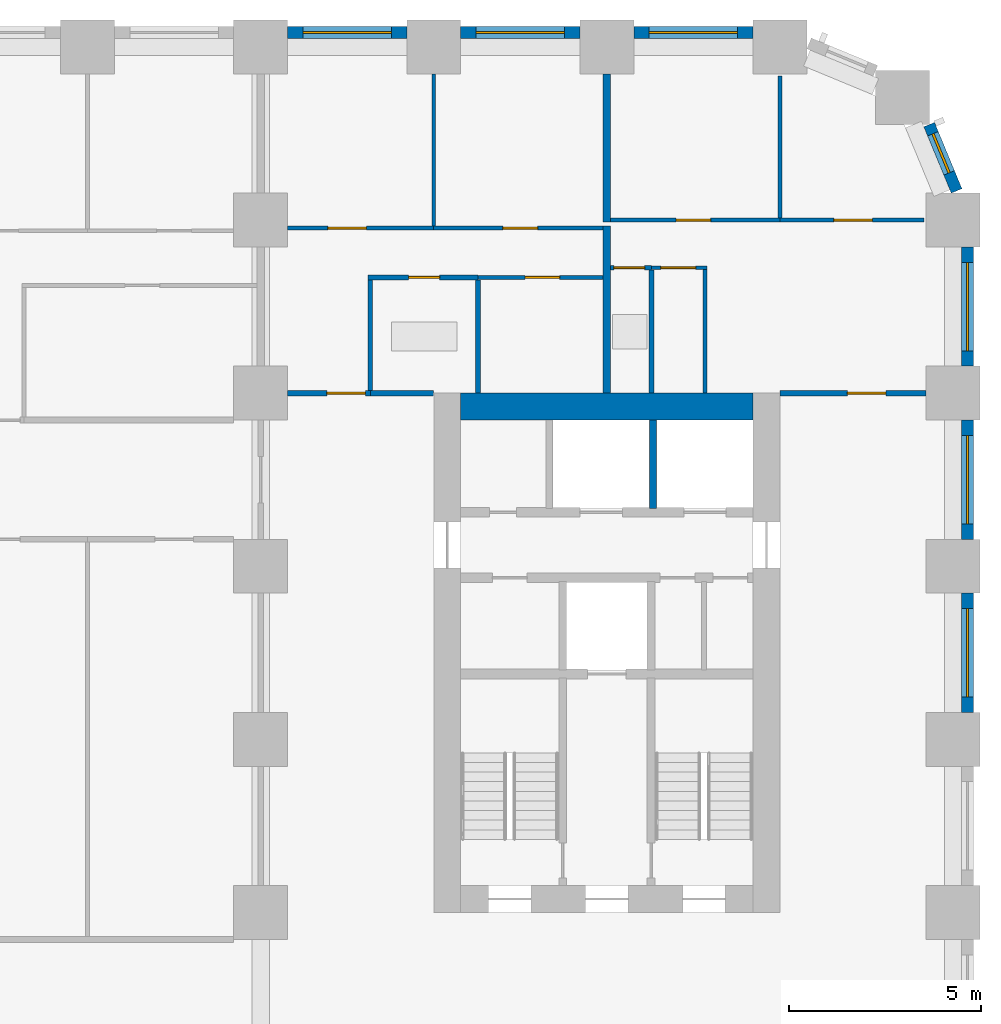
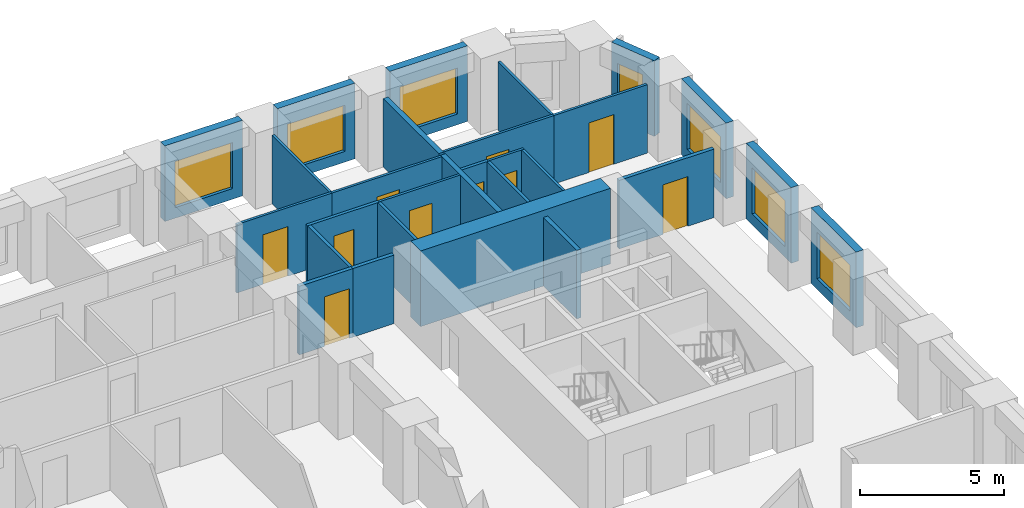
# One storey, part 9 of 13: 28 walls, 10 doors, 7 windows, 17 openings.
"""IFC4 building model written with IfcOpenShell, lengths in metres."""

from ifc_helpers import new_model, si_unit, direction, frame, frame_2d, origin, place, context, subcontext, project, spatial, rectangle, extrude, material, layer, layer_set, type_object, element, fill, save


model = new_model("IFC4")

# Units and contexts
model_context = context("Model", 3, precision=1e-05, world=origin(), true_north=direction((0.0, 1.0)))
body_context = subcontext(model_context, "Body", "Model", "MODEL_VIEW")
ifc_project = project(units=[si_unit("LENGTHUNIT", "METRE"), si_unit("AREAUNIT", "SQUARE_METRE"), si_unit("VOLUMEUNIT", "CUBIC_METRE"), si_unit("PLANEANGLEUNIT", "RADIAN"), si_unit("MASSUNIT", "GRAM", prefix="KILO")], contexts=[model_context])

# Site, building, storey
site_placement = place(None, origin())
site = spatial("IfcSite", under=ifc_project, at=site_placement, CompositionType="ELEMENT")
building_placement = place(site_placement, origin())
building = spatial("IfcBuilding", under=site, at=building_placement, Name="Girih Gate Residences", CompositionType="ELEMENT")
storey_placement = place(building_placement, frame((0.0, 0.0, 52.800048828125)))
storey = spatial("IfcBuildingStorey", under=building, at=storey_placement, Name="L13", CompositionType="ELEMENT", Elevation=52.800048828125)

# Wall, opening, door
ifc_material_1 = material(Name="Gypsum board on steel studs", Category="steel")
ifc_layer_1 = layer(ifc_material_1, 0.14990234375)
ifc_layer_set_1 = layer_set([ifc_layer_1], Name="Compartment wall 150 mm")
wall_type_1 = type_object("IfcWallType", Name="Compartment wall 150 mm", PredefinedType="PARTITIONING", material=ifc_layer_set_1)
wall_1_placement = place(storey_placement, frame((45.0, 40.5, 0.0), z_axis=(0.0, 0.0, 1.0), x_axis=(1.0, 0.0, 0.0)))
wall_1 = element("IfcWall", 1, at=wall_1_placement, inside=storey, type_object=wall_type_1, Name="L13 partition", PredefinedType="PARTITIONING", context=body_context, shape_type="SweptSolid", body=[
    extrude(rectangle(XDim=3.800048828125, YDim=0.14990234375, at=frame_2d((1.89990234375, 0.0))), origin(), (0.0, 0.0, 1.0), 2.89990234375),
])
opening_1_placement = place(wall_1_placement, frame((1.75, 0.0, 0.0)))
opening_1 = element("IfcOpeningElement", 2, at=opening_1_placement, cuts=wall_1, Name="Opening A13-033", PredefinedType="OPENING", context=body_context, shape_type="SweptSolid", body=[
    extrude(rectangle(XDim=1.0, YDim=2.10009765625, at=frame_2d((0.5, 1.050048828125))), frame((0.0, 0.0849609375, 0.0), z_axis=(0.0, -1.0, 0.0), x_axis=(1.0, 0.0, 0.0)), (0.0, 0.0, 1.0), 0.169921875),
])
ifc_material_2 = material(Name="Timber, fire-rated core", Category="wood")
door_type_1 = type_object("IfcDoorType", Name="Flat entrance door 1000x2100 FD30S", OperationType="NOTDEFINED", PredefinedType="DOOR", material=ifc_material_2)
door_1_placement = place(opening_1_placement, origin())
door_1 = element("IfcDoor", 3, at=door_1_placement, inside=storey, type_object=door_type_1, Name="Door A13-033", OperationType="SINGLE_SWING_RIGHT", OverallHeight=2.10009765625, OverallWidth=1.0, PredefinedType="DOOR", context=body_context, shape_type="SweptSolid", body=[
    extrude(rectangle(XDim=1.0, YDim=2.10009765625, at=frame_2d((0.5, 1.050048828125))), frame((0.0, 0.02490234375, 0.0), z_axis=(0.0, -1.0, 0.0), x_axis=(1.0, 0.0, 0.0)), (0.0, 0.0, 1.0), 0.050048828125),
])
fill(opening_1, door_1)

# Wall
wall_2_placement = place(storey_placement, frame((34.35009765625, 40.5, 0.0), z_axis=(0.0, 0.0, 1.0), x_axis=(1.0, 0.0, 0.0)))
element("IfcWall", 4, at=wall_2_placement, inside=storey, type_object=wall_type_1, Name="L13 partition", PredefinedType="PARTITIONING", context=body_context, shape_type="SweptSolid", body=[
    extrude(rectangle(XDim=1.64990234375, YDim=0.14990234375, at=frame_2d((0.824951171875, 0.0))), origin(), (0.0, 0.0, 1.0), 2.89990234375),
])

# Wall, opening, door
wall_3_placement = place(storey_placement, frame((32.199951171875, 40.5, 0.0), z_axis=(0.0, 0.0, 1.0), x_axis=(1.0, 0.0, 0.0)))
wall_3 = element("IfcWall", 5, at=wall_3_placement, inside=storey, type_object=wall_type_1, Name="L13 partition", PredefinedType="PARTITIONING", context=body_context, shape_type="SweptSolid", body=[
    extrude(rectangle(XDim=2.150146484375, YDim=0.14990234375, at=frame_2d((1.0751953125, 0.0))), origin(), (0.0, 0.0, 1.0), 2.89990234375),
])
opening_2_placement = place(wall_3_placement, frame((1.02001953125, 0.0, 0.0)))
opening_2 = element("IfcOpeningElement", 6, at=opening_2_placement, cuts=wall_3, Name="Opening A13-038", PredefinedType="OPENING", context=body_context, shape_type="SweptSolid", body=[
    extrude(rectangle(XDim=1.0, YDim=2.10009765625, at=frame_2d((0.5, 1.050048828125))), frame((0.0, 0.0849609375, 0.0), z_axis=(0.0, -1.0, 0.0), x_axis=(1.0, 0.0, 0.0)), (0.0, 0.0, 1.0), 0.169921875),
])
door_2_placement = place(opening_2_placement, origin())
door_2 = element("IfcDoor", 7, at=door_2_placement, inside=storey, type_object=door_type_1, Name="Door A13-038", OperationType="SINGLE_SWING_RIGHT", OverallHeight=2.10009765625, OverallWidth=1.0, PredefinedType="DOOR", context=body_context, shape_type="SweptSolid", body=[
    extrude(rectangle(XDim=1.0, YDim=2.10009765625, at=frame_2d((0.5, 1.050048828125))), frame((0.0, 0.02490234375, 0.0), z_axis=(0.0, -1.0, 0.0), x_axis=(1.0, 0.0, 0.0)), (0.0, 0.0, 1.0), 0.050048828125),
])
fill(opening_2, door_2)

# Wall
ifc_material_3 = material(Name="Concrete C60/75", Category="concrete")
ifc_layer_2 = layer(ifc_material_3, 0.699951171875)
ifc_layer_set_2 = layer_set([ifc_layer_2], Name="Core wall RC 700 Concrete C60/75")
wall_type_2 = type_object("IfcWallType", Name="Core wall RC 700 Concrete C60/75", PredefinedType="SOLIDWALL", material=ifc_layer_set_2)
wall_4_placement = place(storey_placement, frame((36.699951171875, 40.14990234375, 0.0), z_axis=(0.0, 0.0, 1.0), x_axis=(1.0, 0.0, 0.0)))
element("IfcWall", 8, at=wall_4_placement, inside=storey, type_object=wall_type_2, Name="Core wall E-N L13", PredefinedType="SOLIDWALL", context=body_context, shape_type="SweptSolid", body=[
    extrude(rectangle(XDim=7.60009765625, YDim=0.699951171875, at=frame_2d((3.800048828125, 0.0))), origin(), (0.0, 0.0, 1.0), 3.199951171875),
])

# Wall, opening, door
ifc_layer_3 = layer(ifc_material_1, 0.10009765625)
ifc_layer_set_3 = layer_set([ifc_layer_3], Name="Partition 100 mm")
wall_type_3 = type_object("IfcWallType", Name="Partition 100 mm", PredefinedType="PARTITIONING", material=ifc_layer_set_3)
wall_5_placement = place(storey_placement, frame((40.60009765625, 45.0, 0.0), z_axis=(0.0, 0.0, 1.0), x_axis=(1.0, 0.0, 0.0)))
wall_5 = element("IfcWall", 9, at=wall_5_placement, inside=storey, type_object=wall_type_3, Name="L13 partition", PredefinedType="PARTITIONING", context=body_context, shape_type="SweptSolid", body=[
    extrude(rectangle(XDim=4.39990234375, YDim=0.10009765625, at=frame_2d((2.199951171875, 0.0))), origin(), (0.0, 0.0, 1.0), 2.89990234375),
])
opening_3_placement = place(wall_5_placement, frame((1.699951171875, 0.0, 0.0)))
opening_3 = element("IfcOpeningElement", 10, at=opening_3_placement, cuts=wall_5, Name="Opening A13-030", PredefinedType="OPENING", context=body_context, shape_type="SweptSolid", body=[
    extrude(rectangle(XDim=0.89990234375, YDim=2.10009765625, at=frame_2d((0.449951171875, 1.050048828125))), frame((0.0, 0.06005859375, 0.0), z_axis=(0.0, -1.0, 0.0), x_axis=(1.0, 0.0, 0.0)), (0.0, 0.0, 1.0), 0.1201171875),
])
ifc_material_4 = material(Name="Timber", Category="wood")
door_type_2 = type_object("IfcDoorType", Name="Bedroom door 900x2100", OperationType="NOTDEFINED", PredefinedType="DOOR", material=ifc_material_4)
door_3_placement = place(opening_3_placement, origin())
door_3 = element("IfcDoor", 11, at=door_3_placement, inside=storey, type_object=door_type_2, Name="Door A13-030", OperationType="SINGLE_SWING_LEFT", OverallHeight=2.10009765625, OverallWidth=0.89990234375, PredefinedType="DOOR", context=body_context, shape_type="SweptSolid", body=[
    extrude(rectangle(XDim=0.89990234375, YDim=2.10009765625, at=frame_2d((0.449951171875, 1.050048828125))), frame((0.0, 0.02490234375, 0.0), z_axis=(0.0, -1.0, 0.0), x_axis=(1.0, 0.0, 0.0)), (0.0, 0.0, 1.0), 0.050048828125),
])
fill(opening_3, door_3)

# Walls
wall_6_placement = place(storey_placement, frame((45.0, 45.050048828125, 0.0), z_axis=(0.0, 0.0, 1.0), x_axis=(0.0, 1.0, 0.0)))
element("IfcWall", 12, at=wall_6_placement, inside=storey, type_object=wall_type_3, Name="L13 partition", PredefinedType="PARTITIONING", context=body_context, shape_type="SweptSolid", body=[
    extrude(rectangle(XDim=3.6923828125, YDim=0.10009765625, at=frame_2d((1.84619140625, 0.0))), origin(), (0.0, 0.0, 1.0), 2.89990234375),
])
wall_7_placement = place(storey_placement, frame((43.050048828125, 40.5, 0.0), z_axis=(0.0, 0.0, 1.0), x_axis=(0.0, 1.0, 0.0)))
element("IfcWall", 13, at=wall_7_placement, inside=storey, type_object=wall_type_3, Name="L13 partition", PredefinedType="PARTITIONING", context=body_context, shape_type="SweptSolid", body=[
    extrude(rectangle(XDim=3.2099609375, YDim=0.10009765625, at=frame_2d((1.60498046875, 0.0))), origin(), (0.0, 0.0, 1.0), 2.89990234375),
])

# Wall, opening, door
wall_8_placement = place(storey_placement, frame((43.10009765625, 43.760009765625, 0.0), z_axis=(0.0, 0.0, 1.0), x_axis=(-1.0, 0.0, 0.0)))
wall_8 = element("IfcWall", 14, at=wall_8_placement, inside=storey, type_object=wall_type_3, Name="L13 partition", PredefinedType="PARTITIONING", context=body_context, shape_type="SweptSolid", body=[
    extrude(rectangle(XDim=1.44091796875, YDim=0.10009765625, at=frame_2d((0.720458984375, 0.0))), origin(), (0.0, 0.0, 1.0), 2.89990234375),
])
opening_4_placement = place(wall_8_placement, frame((0.29541015625, 0.0, 0.0)))
opening_4 = element("IfcOpeningElement", 15, at=opening_4_placement, cuts=wall_8, Name="Opening A13-031", PredefinedType="OPENING", context=body_context, shape_type="SweptSolid", body=[
    extrude(rectangle(XDim=0.89990234375, YDim=2.10009765625, at=frame_2d((0.449951171875, 1.050048828125))), frame((0.0, 0.06005859375, 0.0), z_axis=(0.0, -1.0, 0.0), x_axis=(1.0, 0.0, 0.0)), (0.0, 0.0, 1.0), 0.1201171875),
])
door_type_3 = type_object("IfcDoorType", Name="Kitchen door 900x2100", OperationType="NOTDEFINED", PredefinedType="DOOR", material=ifc_material_4)
door_4_placement = place(opening_4_placement, origin())
door_4 = element("IfcDoor", 16, at=door_4_placement, inside=storey, type_object=door_type_3, Name="Door A13-031", OperationType="SINGLE_SWING_RIGHT", OverallHeight=2.10009765625, OverallWidth=0.89990234375, PredefinedType="DOOR", context=body_context, shape_type="SweptSolid", body=[
    extrude(rectangle(XDim=0.89990234375, YDim=2.10009765625, at=frame_2d((0.449951171875, 1.050048828125))), frame((0.0, 0.02490234375, 0.0), z_axis=(0.0, -1.0, 0.0), x_axis=(1.0, 0.0, 0.0)), (0.0, 0.0, 1.0), 0.050048828125),
])
fill(opening_4, door_4)

wall_9_placement = place(storey_placement, frame((45.0, 45.0, 0.0), z_axis=(0.0, 0.0, 1.0), x_axis=(1.0, 0.0, 0.0)))
wall_9 = element("IfcWall", 17, at=wall_9_placement, inside=storey, type_object=wall_type_3, Name="L13 partition", PredefinedType="PARTITIONING", context=body_context, shape_type="SweptSolid", body=[
    extrude(rectangle(XDim=3.742431640625, YDim=0.10009765625, at=frame_2d((1.87109375, 0.0))), origin(), (0.0, 0.0, 1.0), 2.89990234375),
])
opening_5_placement = place(wall_9_placement, frame((1.39990234375, 0.0, 0.0)))
opening_5 = element("IfcOpeningElement", 18, at=opening_5_placement, cuts=wall_9, Name="Opening A13-032", PredefinedType="OPENING", context=body_context, shape_type="SweptSolid", body=[
    extrude(rectangle(XDim=1.0, YDim=2.10009765625, at=frame_2d((0.5, 1.050048828125))), frame((0.0, 0.06005859375, 0.0), z_axis=(0.0, -1.0, 0.0), x_axis=(1.0, 0.0, 0.0)), (0.0, 0.0, 1.0), 0.1201171875),
])
door_type_4 = type_object("IfcDoorType", Name="Living room door 1000x2100", OperationType="NOTDEFINED", PredefinedType="DOOR", material=ifc_material_4)
door_5_placement = place(opening_5_placement, origin())
door_5 = element("IfcDoor", 19, at=door_5_placement, inside=storey, type_object=door_type_4, Name="Door A13-032", OperationType="SINGLE_SWING_RIGHT", OverallHeight=2.10009765625, OverallWidth=1.0, PredefinedType="DOOR", context=body_context, shape_type="SweptSolid", body=[
    extrude(rectangle(XDim=1.0, YDim=2.10009765625, at=frame_2d((0.5, 1.050048828125))), frame((0.0, 0.02490234375, 0.0), z_axis=(0.0, -1.0, 0.0), x_axis=(1.0, 0.0, 0.0)), (0.0, 0.0, 1.0), 0.050048828125),
])
fill(opening_5, door_5)

wall_10_placement = place(storey_placement, frame((36.0, 44.7900390625, 0.0), z_axis=(0.0, 0.0, 1.0), x_axis=(1.0, 0.0, 0.0)))
wall_10 = element("IfcWall", 20, at=wall_10_placement, inside=storey, type_object=wall_type_3, Name="L13 partition", PredefinedType="PARTITIONING", context=body_context, shape_type="SweptSolid", body=[
    extrude(rectangle(XDim=4.39990234375, YDim=0.10009765625, at=frame_2d((2.199951171875, 0.0))), origin(), (0.0, 0.0, 1.0), 2.89990234375),
])
opening_6_placement = place(wall_10_placement, frame((1.800048828125, 0.0, 0.0)))
opening_6 = element("IfcOpeningElement", 21, at=opening_6_placement, cuts=wall_10, Name="Opening A13-035", PredefinedType="OPENING", context=body_context, shape_type="SweptSolid", body=[
    extrude(rectangle(XDim=0.89990234375, YDim=2.10009765625, at=frame_2d((0.449951171875, 1.050048828125))), frame((0.0, 0.06005859375, 0.0), z_axis=(0.0, -1.0, 0.0), x_axis=(1.0, 0.0, 0.0)), (0.0, 0.0, 1.0), 0.1201171875),
])
door_6_placement = place(opening_6_placement, origin())
door_6 = element("IfcDoor", 22, at=door_6_placement, inside=storey, type_object=door_type_2, Name="Door A13-035", OperationType="SINGLE_SWING_RIGHT", OverallHeight=2.10009765625, OverallWidth=0.89990234375, PredefinedType="DOOR", context=body_context, shape_type="SweptSolid", body=[
    extrude(rectangle(XDim=0.89990234375, YDim=2.10009765625, at=frame_2d((0.449951171875, 1.050048828125))), frame((0.0, 0.02490234375, 0.0), z_axis=(0.0, -1.0, 0.0), x_axis=(1.0, 0.0, 0.0)), (0.0, 0.0, 1.0), 0.050048828125),
])
fill(opening_6, door_6)

# Wall
wall_11_placement = place(storey_placement, frame((36.0, 44.840087890625, 0.0), z_axis=(0.0, 0.0, 1.0), x_axis=(0.0, 1.0, 0.0)))
element("IfcWall", 23, at=wall_11_placement, inside=storey, type_object=wall_type_3, Name="L13 partition", PredefinedType="PARTITIONING", context=body_context, shape_type="SweptSolid", body=[
    extrude(rectangle(XDim=3.9599609375, YDim=0.10009765625, at=frame_2d((1.97998046875, 0.0))), origin(), (0.0, 0.0, 1.0), 2.89990234375),
])

# Wall, opening, door
wall_12_placement = place(storey_placement, frame((40.39990234375, 43.510009765625, 0.0), z_axis=(0.0, 0.0, 1.0), x_axis=(-1.0, 0.0, 0.0)))
wall_12 = element("IfcWall", 24, at=wall_12_placement, inside=storey, type_object=wall_type_3, Name="L13 partition", PredefinedType="PARTITIONING", context=body_context, shape_type="SweptSolid", body=[
    extrude(rectangle(XDim=3.250244140625, YDim=0.10009765625, at=frame_2d((1.625, 0.0))), origin(), (0.0, 0.0, 1.0), 2.89990234375),
])
opening_7_placement = place(wall_12_placement, frame((1.125, 0.0, 0.0)))
opening_7 = element("IfcOpeningElement", 25, at=opening_7_placement, cuts=wall_12, Name="Opening A13-036", PredefinedType="OPENING", context=body_context, shape_type="SweptSolid", body=[
    extrude(rectangle(XDim=0.89990234375, YDim=2.10009765625, at=frame_2d((0.449951171875, 1.050048828125))), frame((0.0, 0.06005859375, 0.0), z_axis=(0.0, -1.0, 0.0), x_axis=(1.0, 0.0, 0.0)), (0.0, 0.0, 1.0), 0.1201171875),
])
door_7_placement = place(opening_7_placement, origin())
door_7 = element("IfcDoor", 26, at=door_7_placement, inside=storey, type_object=door_type_3, Name="Door A13-036", OperationType="SINGLE_SWING_LEFT", OverallHeight=2.10009765625, OverallWidth=0.89990234375, PredefinedType="DOOR", context=body_context, shape_type="SweptSolid", body=[
    extrude(rectangle(XDim=0.89990234375, YDim=2.10009765625, at=frame_2d((0.449951171875, 1.050048828125))), frame((0.0, 0.02490234375, 0.0), z_axis=(0.0, -1.0, 0.0), x_axis=(1.0, 0.0, 0.0)), (0.0, 0.0, 1.0), 0.050048828125),
])
fill(opening_7, door_7)

wall_13_placement = place(storey_placement, frame((32.199951171875, 44.7900390625, 0.0), z_axis=(0.0, 0.0, 1.0), x_axis=(1.0, 0.0, 0.0)))
wall_13 = element("IfcWall", 27, at=wall_13_placement, inside=storey, type_object=wall_type_3, Name="L13 partition", PredefinedType="PARTITIONING", context=body_context, shape_type="SweptSolid", body=[
    extrude(rectangle(XDim=3.800048828125, YDim=0.10009765625, at=frame_2d((1.89990234375, 0.0))), origin(), (0.0, 0.0, 1.0), 2.89990234375),
])
opening_8_placement = place(wall_13_placement, frame((1.050048828125, 0.0, 0.0)))
opening_8 = element("IfcOpeningElement", 28, at=opening_8_placement, cuts=wall_13, Name="Opening A13-037", PredefinedType="OPENING", context=body_context, shape_type="SweptSolid", body=[
    extrude(rectangle(XDim=1.0, YDim=2.10009765625, at=frame_2d((0.5, 1.050048828125))), frame((0.0, 0.06005859375, 0.0), z_axis=(0.0, -1.0, 0.0), x_axis=(1.0, 0.0, 0.0)), (0.0, 0.0, 1.0), 0.1201171875),
])
door_8_placement = place(opening_8_placement, origin())
door_8 = element("IfcDoor", 29, at=door_8_placement, inside=storey, type_object=door_type_4, Name="Door A13-037", OperationType="SINGLE_SWING_LEFT", OverallHeight=2.10009765625, OverallWidth=1.0, PredefinedType="DOOR", context=body_context, shape_type="SweptSolid", body=[
    extrude(rectangle(XDim=1.0, YDim=2.10009765625, at=frame_2d((0.5, 1.050048828125))), frame((0.0, 0.02490234375, 0.0), z_axis=(0.0, -1.0, 0.0), x_axis=(1.0, 0.0, 0.0)), (0.0, 0.0, 1.0), 0.050048828125),
])
fill(opening_8, door_8)

# Walls
ifc_layer_4 = layer(ifc_material_1, 0.199951171875)
ifc_layer_set_4 = layer_set([ifc_layer_4], Name="Party wall 200 mm")
wall_type_4 = type_object("IfcWallType", Name="Party wall 200 mm", PredefinedType="PARTITIONING", material=ifc_layer_set_4)
wall_14_placement = place(storey_placement, frame((40.5, 40.5, 0.0), z_axis=(0.0, 0.0, 1.0), x_axis=(0.0, 1.0, 0.0)))
element("IfcWall", 30, at=wall_14_placement, inside=storey, type_object=wall_type_4, Name="L13 partition", PredefinedType="PARTITIONING", context=body_context, shape_type="SweptSolid", body=[
    extrude(rectangle(XDim=4.340087890625, YDim=0.199951171875, at=frame_2d((2.169921875, 0.0))), origin(), (0.0, 0.0, 1.0), 2.89990234375),
])
wall_15_placement = place(storey_placement, frame((40.5, 44.949951171875, 0.0), z_axis=(0.0, 0.0, 1.0), x_axis=(0.0, 1.0, 0.0)))
element("IfcWall", 31, at=wall_15_placement, inside=storey, type_object=wall_type_4, Name="L13 partition", PredefinedType="PARTITIONING", context=body_context, shape_type="SweptSolid", body=[
    extrude(rectangle(XDim=3.85009765625, YDim=0.199951171875, at=frame_2d((1.925048828125, 0.0))), origin(), (0.0, 0.0, 1.0), 2.89990234375),
])

# Wall, opening, window
ifc_material_5 = material(Name="Precast concrete C50/60", Category="concrete")
ifc_layer_5 = layer(ifc_material_5, 0.080078125, Name="Outer leaf")
ifc_material_6 = material(Name="Rigid PIR insulation")
ifc_layer_6 = layer(ifc_material_6, 0.14990234375, Name="Insulation")
ifc_material_7 = material(Name="Precast concrete C40/50", Category="concrete")
ifc_layer_7 = layer(ifc_material_7, 0.070068359375, Name="Inner leaf")
ifc_layer_set_5 = layer_set([ifc_layer_5, ifc_layer_6, ifc_layer_7], Name="Precast concrete C50/60 external wall 300")
wall_type_5 = type_object("IfcWallType", Name="Precast concrete C50/60 external wall 300", PredefinedType="SOLIDWALL", material=ifc_layer_set_5)
wall_16_placement = place(storey_placement, frame((49.875, 35.300048828125, 0.0), z_axis=(0.0, 0.0, 1.0), x_axis=(0.0, -1.0, 0.0)))
wall_16 = element("IfcWall", 32, at=wall_16_placement, inside=storey, type_object=wall_type_5, Name="External wall E0495_0045.6", PredefinedType="SOLIDWALL", context=body_context, shape_type="SweptSolid", body=[
    extrude(rectangle(XDim=3.10009765625, YDim=0.300048828125, at=frame_2d((1.550048828125, 0.0))), origin(), (0.0, 0.0, 1.0), 3.199951171875),
])
opening_9_placement = place(wall_16_placement, frame((0.39990234375, 0.0, 0.449951171875)))
opening_9 = element("IfcOpeningElement", 33, at=opening_9_placement, cuts=wall_16, Name="Opening W-1", PredefinedType="OPENING", context=body_context, shape_type="SweptSolid", body=[
    extrude(rectangle(XDim=2.300048828125, YDim=1.949951171875, at=frame_2d((1.14990234375, 0.97509765625))), frame((0.0, 0.159912109375, 0.0), z_axis=(0.0, -1.0, 0.0), x_axis=(1.0, 0.0, 0.0)), (0.0, 0.0, 1.0), 0.320068359375),
])
ifc_material_8 = material(Name="Double glazing in aluminium frame", Category="aluminium")
window_type_1 = type_object("IfcWindowType", Name="Window W-1 2300x1950", PartitioningType="SINGLE_PANEL", PredefinedType="WINDOW", material=ifc_material_8)
window_1_placement = place(opening_9_placement, origin())
window_1 = element("IfcWindow", 34, at=window_1_placement, inside=storey, type_object=window_type_1, Name="Window W-1 E0495_0045.6", OverallHeight=1.949951171875, OverallWidth=2.300048828125, PartitioningType="SINGLE_PANEL", PredefinedType="WINDOW", context=body_context, shape_type="SweptSolid", body=[
    extrude(rectangle(XDim=2.300048828125, YDim=1.949951171875, at=frame_2d((1.14990234375, 0.97509765625))), frame((0.0, 0.030029296875, 0.0), z_axis=(0.0, -1.0, 0.0), x_axis=(1.0, 0.0, 0.0)), (0.0, 0.0, 1.0), 0.06005859375),
])
fill(opening_9, window_1)

wall_17_placement = place(storey_placement, frame((49.875, 39.800048828125, 0.0), z_axis=(0.0, 0.0, 1.0), x_axis=(0.0, -1.0, 0.0)))
wall_17 = element("IfcWall", 35, at=wall_17_placement, inside=storey, type_object=wall_type_5, Name="External wall E0495_0045.7", PredefinedType="SOLIDWALL", context=body_context, shape_type="SweptSolid", body=[
    extrude(rectangle(XDim=3.10009765625, YDim=0.300048828125, at=frame_2d((1.550048828125, 0.0))), origin(), (0.0, 0.0, 1.0), 3.199951171875),
])
opening_10_placement = place(wall_17_placement, frame((0.39990234375, 0.0, 0.449951171875)))
opening_10 = element("IfcOpeningElement", 36, at=opening_10_placement, cuts=wall_17, Name="Opening W-1", PredefinedType="OPENING", context=body_context, shape_type="SweptSolid", body=[
    extrude(rectangle(XDim=2.300048828125, YDim=1.949951171875, at=frame_2d((1.14990234375, 0.97509765625))), frame((0.0, 0.159912109375, 0.0), z_axis=(0.0, -1.0, 0.0), x_axis=(1.0, 0.0, 0.0)), (0.0, 0.0, 1.0), 0.320068359375),
])
window_2_placement = place(opening_10_placement, origin())
window_2 = element("IfcWindow", 37, at=window_2_placement, inside=storey, type_object=window_type_1, Name="Window W-1 E0495_0045.7", OverallHeight=1.949951171875, OverallWidth=2.300048828125, PartitioningType="SINGLE_PANEL", PredefinedType="WINDOW", context=body_context, shape_type="SweptSolid", body=[
    extrude(rectangle(XDim=2.300048828125, YDim=1.949951171875, at=frame_2d((1.14990234375, 0.97509765625))), frame((0.0, 0.030029296875, 0.0), z_axis=(0.0, -1.0, 0.0), x_axis=(1.0, 0.0, 0.0)), (0.0, 0.0, 1.0), 0.06005859375),
])
fill(opening_10, window_2)

wall_18_placement = place(storey_placement, frame((49.875, 44.300048828125, 0.0), z_axis=(0.0, 0.0, 1.0), x_axis=(0.0, -1.0, 0.0)))
wall_18 = element("IfcWall", 38, at=wall_18_placement, inside=storey, type_object=wall_type_5, Name="External wall E0495_0045.8", PredefinedType="SOLIDWALL", context=body_context, shape_type="SweptSolid", body=[
    extrude(rectangle(XDim=3.10009765625, YDim=0.300048828125, at=frame_2d((1.550048828125, 0.0))), origin(), (0.0, 0.0, 1.0), 3.199951171875),
])
opening_11_placement = place(wall_18_placement, frame((0.39990234375, 0.0, 0.449951171875)))
opening_11 = element("IfcOpeningElement", 39, at=opening_11_placement, cuts=wall_18, Name="Opening W-1", PredefinedType="OPENING", context=body_context, shape_type="SweptSolid", body=[
    extrude(rectangle(XDim=2.300048828125, YDim=1.949951171875, at=frame_2d((1.14990234375, 0.97509765625))), frame((0.0, 0.159912109375, 0.0), z_axis=(0.0, -1.0, 0.0), x_axis=(1.0, 0.0, 0.0)), (0.0, 0.0, 1.0), 0.320068359375),
])
window_3_placement = place(opening_11_placement, origin())
window_3 = element("IfcWindow", 40, at=window_3_placement, inside=storey, type_object=window_type_1, Name="Window W-1 E0495_0045.8", OverallHeight=1.949951171875, OverallWidth=2.300048828125, PartitioningType="SINGLE_PANEL", PredefinedType="WINDOW", context=body_context, shape_type="SweptSolid", body=[
    extrude(rectangle(XDim=2.300048828125, YDim=1.949951171875, at=frame_2d((1.14990234375, 0.97509765625))), frame((0.0, 0.030029296875, 0.0), z_axis=(0.0, -1.0, 0.0), x_axis=(1.0, 0.0, 0.0)), (0.0, 0.0, 1.0), 0.06005859375),
])
fill(opening_11, window_3)

wall_19_placement = place(storey_placement, frame((48.87841796875, 47.48046875, 0.0), z_axis=(0.0, 0.0, 1.0), x_axis=(0.38262540684, -0.923903565336, 0.0)))
wall_19 = element("IfcWall", 41, at=wall_19_placement, inside=storey, type_object=wall_type_5, Name="External wall NE0495_0450.0", PredefinedType="SOLIDWALL", context=body_context, shape_type="SweptSolid", body=[
    extrude(rectangle(XDim=1.864990234375, YDim=0.300048828125, at=frame_2d((0.9326171875, 0.0))), origin(), (0.0, 0.0, 1.0), 3.199951171875),
])
opening_12_placement = place(wall_19_placement, frame((0.257568359375, 0.0, 0.449951171875)))
opening_12 = element("IfcOpeningElement", 42, at=opening_12_placement, cuts=wall_19, Name="Opening W-2C", PredefinedType="OPENING", context=body_context, shape_type="SweptSolid", body=[
    extrude(rectangle(XDim=1.10009765625, YDim=1.949951171875, at=frame_2d((0.550048828125, 0.97509765625))), frame((0.0, 0.159912109375, 0.0), z_axis=(0.0, -1.0, 0.0), x_axis=(1.0, 0.0, 0.0)), (0.0, 0.0, 1.0), 0.320068359375),
])
window_type_2 = type_object("IfcWindowType", Name="Window W-2C 1100x1950", PartitioningType="SINGLE_PANEL", PredefinedType="WINDOW", material=ifc_material_8)
window_4_placement = place(opening_12_placement, origin())
window_4 = element("IfcWindow", 43, at=window_4_placement, inside=storey, type_object=window_type_2, Name="Window W-2C NE0495_0450.0", OverallHeight=1.949951171875, OverallWidth=1.10009765625, PartitioningType="SINGLE_PANEL", PredefinedType="WINDOW", context=body_context, shape_type="SweptSolid", body=[
    extrude(rectangle(XDim=1.10009765625, YDim=1.949951171875, at=frame_2d((0.550048828125, 0.97509765625))), frame((0.0, 0.030029296875, 0.0), z_axis=(0.0, -1.0, 0.0), x_axis=(1.0, 0.0, 0.0)), (0.0, 0.0, 1.0), 0.06005859375),
])
fill(opening_12, window_4)

wall_20_placement = place(storey_placement, frame((41.199951171875, 49.875, 0.0), z_axis=(0.0, 0.0, 1.0), x_axis=(1.0, 0.0, 0.0)))
wall_20 = element("IfcWall", 44, at=wall_20_placement, inside=storey, type_object=wall_type_5, Name="External wall N0450_0495.0", PredefinedType="SOLIDWALL", context=body_context, shape_type="SweptSolid", body=[
    extrude(rectangle(XDim=3.10009765625, YDim=0.300048828125, at=frame_2d((1.550048828125, 0.0))), origin(), (0.0, 0.0, 1.0), 3.199951171875),
])
opening_13_placement = place(wall_20_placement, frame((0.39990234375, 0.0, 0.449951171875)))
opening_13 = element("IfcOpeningElement", 45, at=opening_13_placement, cuts=wall_20, Name="Opening W-1", PredefinedType="OPENING", context=body_context, shape_type="SweptSolid", body=[
    extrude(rectangle(XDim=2.300048828125, YDim=1.949951171875, at=frame_2d((1.14990234375, 0.97509765625))), frame((0.0, 0.159912109375, 0.0), z_axis=(0.0, -1.0, 0.0), x_axis=(1.0, 0.0, 0.0)), (0.0, 0.0, 1.0), 0.320068359375),
])
window_5_placement = place(opening_13_placement, origin())
window_5 = element("IfcWindow", 46, at=window_5_placement, inside=storey, type_object=window_type_1, Name="Window W-1 N0450_0495.0", OverallHeight=1.949951171875, OverallWidth=2.300048828125, PartitioningType="SINGLE_PANEL", PredefinedType="WINDOW", context=body_context, shape_type="SweptSolid", body=[
    extrude(rectangle(XDim=2.300048828125, YDim=1.949951171875, at=frame_2d((1.14990234375, 0.97509765625))), frame((0.0, 0.030029296875, 0.0), z_axis=(0.0, -1.0, 0.0), x_axis=(1.0, 0.0, 0.0)), (0.0, 0.0, 1.0), 0.06005859375),
])
fill(opening_13, window_5)

wall_21_placement = place(storey_placement, frame((36.699951171875, 49.875, 0.0), z_axis=(0.0, 0.0, 1.0), x_axis=(1.0, 0.0, 0.0)))
wall_21 = element("IfcWall", 47, at=wall_21_placement, inside=storey, type_object=wall_type_5, Name="External wall N0450_0495.1", PredefinedType="SOLIDWALL", context=body_context, shape_type="SweptSolid", body=[
    extrude(rectangle(XDim=3.10009765625, YDim=0.300048828125, at=frame_2d((1.550048828125, 0.0))), origin(), (0.0, 0.0, 1.0), 3.199951171875),
])
opening_14_placement = place(wall_21_placement, frame((0.39990234375, 0.0, 0.449951171875)))
opening_14 = element("IfcOpeningElement", 48, at=opening_14_placement, cuts=wall_21, Name="Opening W-1", PredefinedType="OPENING", context=body_context, shape_type="SweptSolid", body=[
    extrude(rectangle(XDim=2.300048828125, YDim=1.949951171875, at=frame_2d((1.14990234375, 0.97509765625))), frame((0.0, 0.159912109375, 0.0), z_axis=(0.0, -1.0, 0.0), x_axis=(1.0, 0.0, 0.0)), (0.0, 0.0, 1.0), 0.320068359375),
])
window_6_placement = place(opening_14_placement, origin())
window_6 = element("IfcWindow", 49, at=window_6_placement, inside=storey, type_object=window_type_1, Name="Window W-1 N0450_0495.1", OverallHeight=1.949951171875, OverallWidth=2.300048828125, PartitioningType="SINGLE_PANEL", PredefinedType="WINDOW", context=body_context, shape_type="SweptSolid", body=[
    extrude(rectangle(XDim=2.300048828125, YDim=1.949951171875, at=frame_2d((1.14990234375, 0.97509765625))), frame((0.0, 0.030029296875, 0.0), z_axis=(0.0, -1.0, 0.0), x_axis=(1.0, 0.0, 0.0)), (0.0, 0.0, 1.0), 0.06005859375),
])
fill(opening_14, window_6)

wall_22_placement = place(storey_placement, frame((32.199951171875, 49.875, 0.0), z_axis=(0.0, 0.0, 1.0), x_axis=(1.0, 0.0, 0.0)))
wall_22 = element("IfcWall", 50, at=wall_22_placement, inside=storey, type_object=wall_type_5, Name="External wall N0450_0495.2", PredefinedType="SOLIDWALL", context=body_context, shape_type="SweptSolid", body=[
    extrude(rectangle(XDim=3.10009765625, YDim=0.300048828125, at=frame_2d((1.550048828125, 0.0))), origin(), (0.0, 0.0, 1.0), 3.199951171875),
])
opening_15_placement = place(wall_22_placement, frame((0.39990234375, 0.0, 0.449951171875)))
opening_15 = element("IfcOpeningElement", 51, at=opening_15_placement, cuts=wall_22, Name="Opening W-1", PredefinedType="OPENING", context=body_context, shape_type="SweptSolid", body=[
    extrude(rectangle(XDim=2.300048828125, YDim=1.949951171875, at=frame_2d((1.14990234375, 0.97509765625))), frame((0.0, 0.159912109375, 0.0), z_axis=(0.0, -1.0, 0.0), x_axis=(1.0, 0.0, 0.0)), (0.0, 0.0, 1.0), 0.320068359375),
])
window_7_placement = place(opening_15_placement, origin())
window_7 = element("IfcWindow", 52, at=window_7_placement, inside=storey, type_object=window_type_1, Name="Window W-1 N0450_0495.2", OverallHeight=1.949951171875, OverallWidth=2.300048828125, PartitioningType="SINGLE_PANEL", PredefinedType="WINDOW", context=body_context, shape_type="SweptSolid", body=[
    extrude(rectangle(XDim=2.300048828125, YDim=1.949951171875, at=frame_2d((1.14990234375, 0.97509765625))), frame((0.0, 0.030029296875, 0.0), z_axis=(0.0, -1.0, 0.0), x_axis=(1.0, 0.0, 0.0)), (0.0, 0.0, 1.0), 0.06005859375),
])
fill(opening_15, window_7)

# Wall
ifc_material_9 = material(Name="Concrete C40/50", Category="concrete")
ifc_layer_8 = layer(ifc_material_9, 0.175048828125)
ifc_layer_set_6 = layer_set([ifc_layer_8], Name="Riser shaft wall 175")
wall_type_6 = type_object("IfcWallType", Name="Riser shaft wall 175", PredefinedType="SOLIDWALL", material=ifc_layer_set_6)
wall_23_placement = place(storey_placement, frame((41.699951171875, 37.5, 0.0), z_axis=(0.0, 0.0, 1.0), x_axis=(0.0, 1.0, 0.0)))
element("IfcWall", 53, at=wall_23_placement, inside=storey, type_object=wall_type_6, Name="L13 E core wall V1c", PredefinedType="SOLIDWALL", context=body_context, shape_type="SweptSolid", body=[
    extrude(rectangle(XDim=2.300048828125, YDim=0.175048828125, at=frame_2d((1.14990234375, 0.0))), origin(), (0.0, 0.0, 1.0), 2.89990234375),
])

# Wall, opening, door
ifc_layer_9 = layer(ifc_material_1, 0.125)
ifc_layer_set_7 = layer_set([ifc_layer_9], Name="Wet room wall 125 mm")
wall_type_7 = type_object("IfcWallType", Name="Wet room wall 125 mm", PredefinedType="PARTITIONING", material=ifc_layer_set_7)
wall_24_placement = place(storey_placement, frame((41.6591796875, 43.760009765625, 0.0), z_axis=(0.0, 0.0, 1.0), x_axis=(-1.0, 0.0, 0.0)))
wall_24 = element("IfcWall", 54, at=wall_24_placement, inside=storey, type_object=wall_type_7, Name="L13 partition", PredefinedType="PARTITIONING", context=body_context, shape_type="SweptSolid", body=[
    extrude(rectangle(XDim=1.05908203125, YDim=0.125, at=frame_2d((0.529541015625, 0.0))), origin(), (0.0, 0.0, 1.0), 2.89990234375),
])
opening_16_placement = place(wall_24_placement, frame((0.179443359375, 0.0, 0.0)))
opening_16 = element("IfcOpeningElement", 55, at=opening_16_placement, cuts=wall_24, Name="Opening A13-029", PredefinedType="OPENING", context=body_context, shape_type="SweptSolid", body=[
    extrude(rectangle(XDim=0.800048828125, YDim=2.10009765625, at=frame_2d((0.39990234375, 1.050048828125))), frame((0.0, 0.072509765625, 0.0), z_axis=(0.0, -1.0, 0.0), x_axis=(1.0, 0.0, 0.0)), (0.0, 0.0, 1.0), 0.14501953125),
])
door_type_5 = type_object("IfcDoorType", Name="Bathroom door 800x2100", OperationType="NOTDEFINED", PredefinedType="DOOR", material=ifc_material_4)
door_9_placement = place(opening_16_placement, origin())
door_9 = element("IfcDoor", 56, at=door_9_placement, inside=storey, type_object=door_type_5, Name="Door A13-029", OperationType="SINGLE_SWING_RIGHT", OverallHeight=2.10009765625, OverallWidth=0.800048828125, PredefinedType="DOOR", context=body_context, shape_type="SweptSolid", body=[
    extrude(rectangle(XDim=0.800048828125, YDim=2.10009765625, at=frame_2d((0.39990234375, 1.050048828125))), frame((0.0, 0.02490234375, 0.0), z_axis=(0.0, -1.0, 0.0), x_axis=(1.0, 0.0, 0.0)), (0.0, 0.0, 1.0), 0.050048828125),
])
fill(opening_16, door_9)

# Walls
wall_25_placement = place(storey_placement, frame((41.658935546875, 40.5, 0.0), z_axis=(0.0, 0.0, 1.0), x_axis=(0.0, 1.0, 0.0)))
element("IfcWall", 57, at=wall_25_placement, inside=storey, type_object=wall_type_7, Name="L13 partition", PredefinedType="PARTITIONING", context=body_context, shape_type="SweptSolid", body=[
    extrude(rectangle(XDim=3.197509765625, YDim=0.125, at=frame_2d((1.5986328125, 0.0))), origin(), (0.0, 0.0, 1.0), 2.89990234375),
])
wall_26_placement = place(storey_placement, frame((34.35009765625, 40.574951171875, 0.0), z_axis=(0.0, 0.0, 1.0), x_axis=(0.0, 1.0, 0.0)))
element("IfcWall", 58, at=wall_26_placement, inside=storey, type_object=wall_type_7, Name="L13 partition", PredefinedType="PARTITIONING", context=body_context, shape_type="SweptSolid", body=[
    extrude(rectangle(XDim=2.87255859375, YDim=0.125, at=frame_2d((1.436279296875, 0.0))), origin(), (0.0, 0.0, 1.0), 2.89990234375),
])

# Wall, opening, door
wall_27_placement = place(storey_placement, frame((37.149658203125, 43.510009765625, 0.0), z_axis=(0.0, 0.0, 1.0), x_axis=(-1.0, 0.0, 0.0)))
wall_27 = element("IfcWall", 59, at=wall_27_placement, inside=storey, type_object=wall_type_7, Name="L13 partition", PredefinedType="PARTITIONING", context=body_context, shape_type="SweptSolid", body=[
    extrude(rectangle(XDim=2.862060546875, YDim=0.125, at=frame_2d((1.43115234375, 0.0))), origin(), (0.0, 0.0, 1.0), 2.89990234375),
])
opening_17_placement = place(wall_27_placement, frame((1.0, 0.0, 0.0)))
opening_17 = element("IfcOpeningElement", 60, at=opening_17_placement, cuts=wall_27, Name="Opening A13-034", PredefinedType="OPENING", context=body_context, shape_type="SweptSolid", body=[
    extrude(rectangle(XDim=0.800048828125, YDim=2.10009765625, at=frame_2d((0.39990234375, 1.050048828125))), frame((0.0, 0.072509765625, 0.0), z_axis=(0.0, -1.0, 0.0), x_axis=(1.0, 0.0, 0.0)), (0.0, 0.0, 1.0), 0.14501953125),
])
door_10_placement = place(opening_17_placement, origin())
door_10 = element("IfcDoor", 61, at=door_10_placement, inside=storey, type_object=door_type_5, Name="Door A13-034", OperationType="SINGLE_SWING_LEFT", OverallHeight=2.10009765625, OverallWidth=0.800048828125, PredefinedType="DOOR", context=body_context, shape_type="SweptSolid", body=[
    extrude(rectangle(XDim=0.800048828125, YDim=2.10009765625, at=frame_2d((0.39990234375, 1.050048828125))), frame((0.0, 0.02490234375, 0.0), z_axis=(0.0, -1.0, 0.0), x_axis=(1.0, 0.0, 0.0)), (0.0, 0.0, 1.0), 0.050048828125),
])
fill(opening_17, door_10)

# Wall
wall_28_placement = place(storey_placement, frame((37.14990234375, 40.5, 0.0), z_axis=(0.0, 0.0, 1.0), x_axis=(0.0, 1.0, 0.0)))
element("IfcWall", 62, at=wall_28_placement, inside=storey, type_object=wall_type_7, Name="L13 partition", PredefinedType="PARTITIONING", context=body_context, shape_type="SweptSolid", body=[
    extrude(rectangle(XDim=2.947509765625, YDim=0.125, at=frame_2d((1.4736328125, 0.0))), origin(), (0.0, 0.0, 1.0), 2.89990234375),
])

save(model, "model.ifc")
